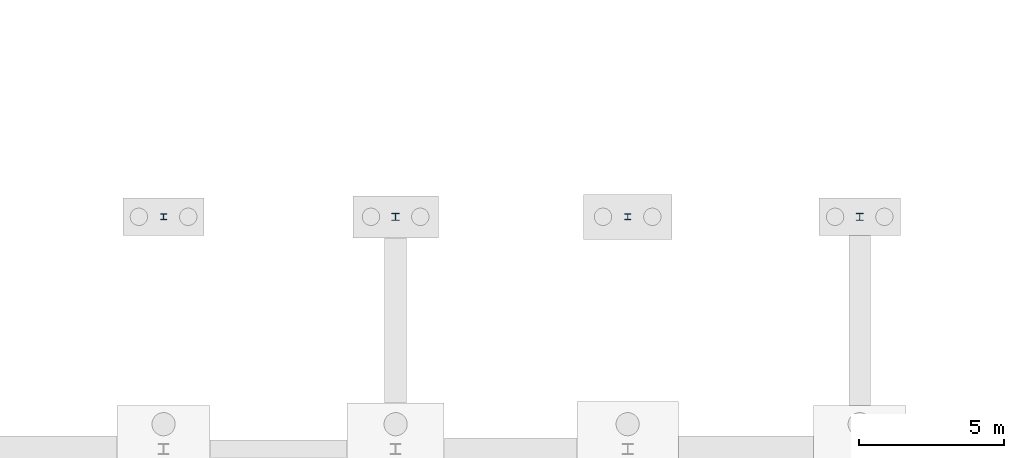
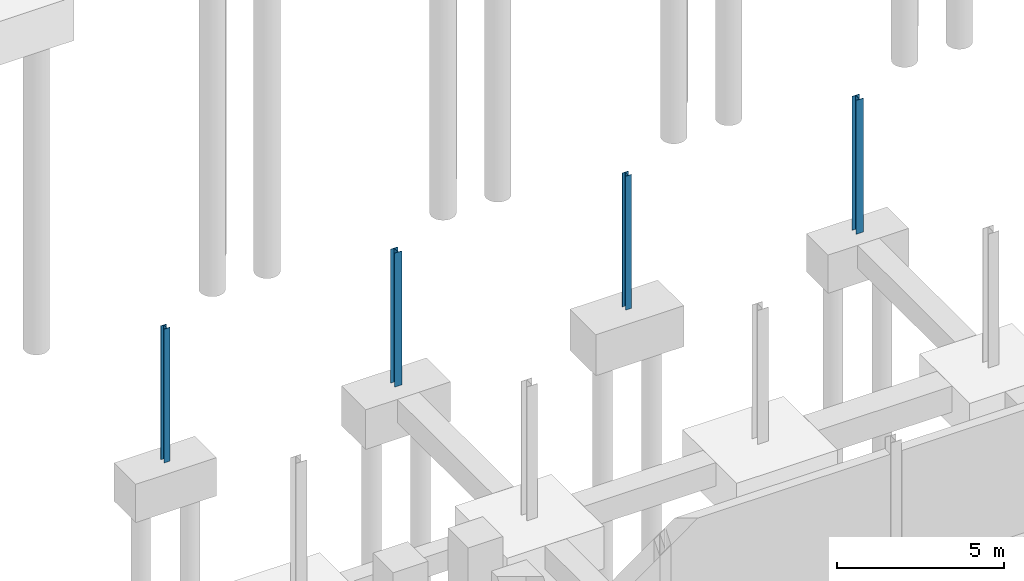
# One storey, part 26 of 51: 4 columns.
"""IFC4 building model written with IfcOpenShell, lengths in metres."""

from ifc_helpers import new_model, si_unit, direction, frame, origin, origin_2d, place, context, subcontext, project, spatial, i_section, extrude, material, material_profile, profile_set, type_object, element, save


model = new_model("IFC4")

# Units and contexts
model_context = context("Model", 3, precision=1e-05, world=origin(), true_north=direction((0.0, 1.0)))
body_context = subcontext(model_context, "Body", "Model", "MODEL_VIEW")
ifc_project = project(units=[si_unit("LENGTHUNIT", "METRE"), si_unit("AREAUNIT", "SQUARE_METRE"), si_unit("VOLUMEUNIT", "CUBIC_METRE"), si_unit("PLANEANGLEUNIT", "RADIAN"), si_unit("MASSUNIT", "GRAM", prefix="KILO")], contexts=[model_context])

# Site, building, storey
site_placement = place(None, origin())
site = spatial("IfcSite", under=ifc_project, at=site_placement, CompositionType="ELEMENT")
building_placement = place(site_placement, origin())
building = spatial("IfcBuilding", under=site, at=building_placement, Name="Jelvoka-Kovrelna Polytechnic", CompositionType="ELEMENT")
storey_placement = place(building_placement, frame((0.0, 0.0, -4.5)))
storey = spatial("IfcBuildingStorey", under=building, at=storey_placement, Name="B01", CompositionType="ELEMENT", Elevation=-4.5)

# Columns
ifc_material_1 = material(Name="Structural steel S355JR", Category="steel")
ifc_material_profile_1 = material_profile(ifc_material_1, i_section(OverallWidth=0.205810546875, OverallDepth=0.209716796875, WebThickness=0.009521484375, FlangeThickness=0.01416015625, FilletRadius=0.01025390625, at=origin_2d()), Name="203x203x60 UC")
ifc_profile_set_1 = profile_set([ifc_material_profile_1], Name="Structural steel S355JR")
column_type_1 = type_object("IfcColumnType", Name="Col_Steel_UC203", PredefinedType="COLUMN", material=ifc_profile_set_1)
for number, where, z_axis, x_axis, name in (
    (1, (104.0, 96.0, -0.405029296875), (0.0, 0.0, 1.0), (1.0, 0.0, 0.0), "B01 column 1581"),
    (2, (120.0, 96.0, -0.405029296875), (0.0, 0.0, 1.0), (1.0, 0.0, 0.0), "B01 column 1585"),
):
    element("IfcColumn", number, at=place(storey_placement, frame(where, z_axis=z_axis, x_axis=x_axis)), inside=storey, type_object=column_type_1, Name=name, PredefinedType="COLUMN", context=body_context, shape_type="SweptSolid", body=[
        extrude(i_section(OverallWidth=0.205810546875, OverallDepth=0.209716796875, WebThickness=0.009521484375, FlangeThickness=0.01416015625, FilletRadius=0.01025390625, at=origin_2d()), origin(), (0.0, 0.0, 1.0), 4.905029296875),
    ])
ifc_material_2 = material(Name="Structural steel S355JR", Category="steel")
ifc_material_profile_2 = material_profile(ifc_material_2, i_section(OverallWidth=0.254638671875, OverallDepth=0.254150390625, WebThickness=0.008544921875, FlangeThickness=0.01416015625, FilletRadius=0.0126953125, at=origin_2d()), Name="254x254x73 UC")
ifc_profile_set_2 = profile_set([ifc_material_profile_2], Name="Structural steel S355JR")
column_type_2 = type_object("IfcColumnType", Name="Col_Steel_UC254", PredefinedType="COLUMN", material=ifc_profile_set_2)
for number, where, z_axis, x_axis, name in (
    (3, (112.0, 96.0, -0.405029296875), (0.0, 0.0, 1.0), (1.0, 0.0, 0.0), "B01 column 1583"),
    (4, (128.0, 96.0, -0.405029296875), (0.0, 0.0, 1.0), (1.0, 0.0, 0.0), "B01 column 1587"),
):
    element("IfcColumn", number, at=place(storey_placement, frame(where, z_axis=z_axis, x_axis=x_axis)), inside=storey, type_object=column_type_2, Name=name, PredefinedType="COLUMN", context=body_context, shape_type="SweptSolid", body=[
        extrude(i_section(OverallWidth=0.254638671875, OverallDepth=0.254150390625, WebThickness=0.008544921875, FlangeThickness=0.01416015625, FilletRadius=0.0126953125, at=origin_2d()), origin(), (0.0, 0.0, 1.0), 4.905029296875),
    ])

save(model, "model.ifc")
